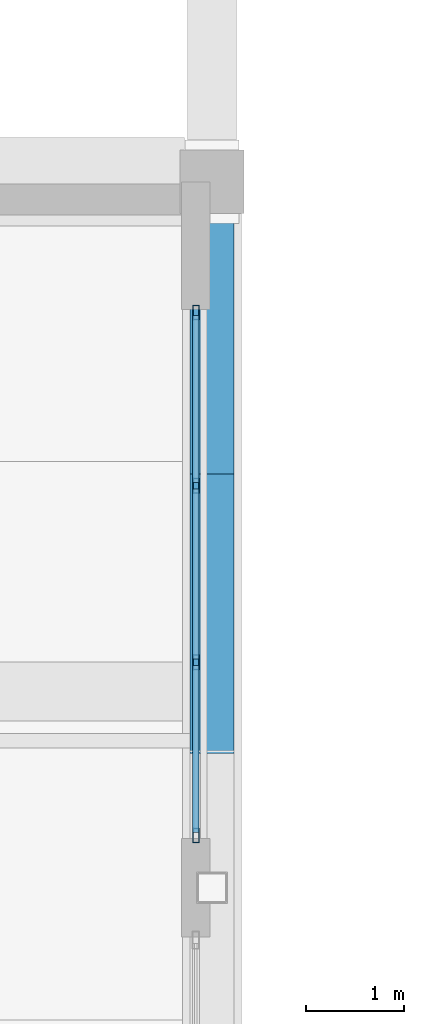
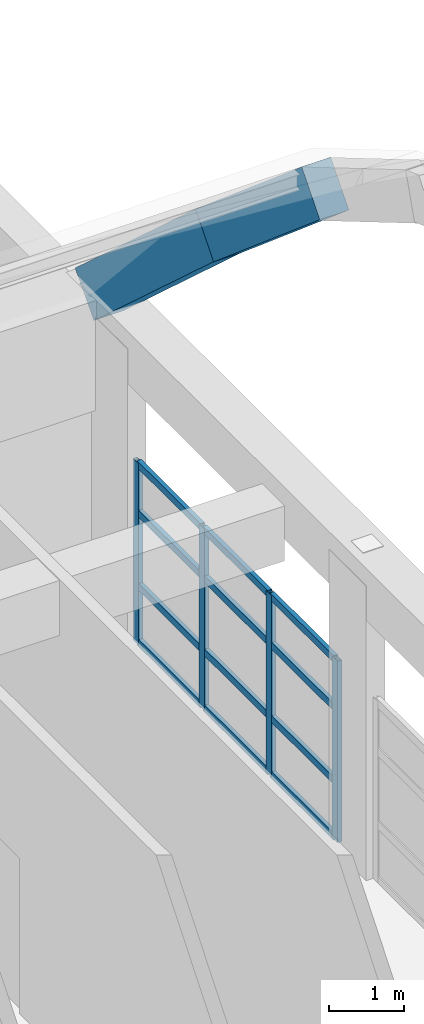
# One storey, part 55 of 103: 16 members, 2 beams, 1 element without a shape of its own.
"""IFC4 building model written with IfcOpenShell, lengths in metres."""

from ifc_helpers import new_model, si_unit, direction, frame, origin, origin_2d, place, context, subcontext, project, spatial, rectangle, hollow_rectangle, extrude, material, layer, layer_set, material_profile, profile_set, type_object, element, aggregate, save


model = new_model("IFC4")

# Units and contexts
model_context = context("Model", 3, precision=1e-05, world=origin(), true_north=direction((0.0, 1.0)))
body_context = subcontext(model_context, "Body", "Model", "MODEL_VIEW")
ifc_project = project(units=[si_unit("LENGTHUNIT", "METRE"), si_unit("AREAUNIT", "SQUARE_METRE"), si_unit("VOLUMEUNIT", "CUBIC_METRE"), si_unit("PLANEANGLEUNIT", "RADIAN"), si_unit("MASSUNIT", "GRAM", prefix="KILO")], contexts=[model_context])

# Site, building, storey
site_placement = place(None, origin())
site = spatial("IfcSite", under=ifc_project, at=site_placement, CompositionType="ELEMENT")
building_placement = place(site_placement, origin())
building = spatial("IfcBuilding", under=site, at=building_placement, Name="Quendrovan Civic Courthouse", CompositionType="ELEMENT")
storey_placement = place(building_placement, frame((0.0, 0.0, 15.300048828125)))
storey = spatial("IfcBuildingStorey", under=building, at=storey_placement, Name="L04", CompositionType="ELEMENT", Elevation=15.300048828125)

# Beams
ifc_material_1 = material(Name="Concrete C40/50", Category="concrete")
ifc_material_profile_1 = material_profile(ifc_material_1, rectangle(XDim=0.449951171875, YDim=0.75, at=origin_2d()), Name="RC-VRIB-450x750")
ifc_profile_set_1 = profile_set([ifc_material_profile_1], Name="Concrete C40/50")
beam_type = type_object("IfcBeamType", Name="BM-VRIB750", PredefinedType="BEAM", material=ifc_profile_set_1)
beam_1_placement = place(storey_placement, frame((92.39990234375, 81.52783203125, 10.237548828125), z_axis=(0.0, 0.762419306116, -0.647083303495), x_axis=(-1.0, 0.0, 0.0)))
element("IfcBeam", 1, at=beam_1_placement, inside=storey, type_object=beam_type, Name="BV2 Concrete Vault Arch Rib A8-C7", PredefinedType="BEAM", context=body_context, shape_type="SweptSolid", body=[
    extrude(rectangle(XDim=0.449951171875, YDim=0.75, at=origin_2d()), origin(), (0.0, 0.0, 1.0), 3.73828125),
])
beam_2_placement = place(storey_placement, frame((92.39990234375, 84.3232421875, 7.87158203125), z_axis=(0.0, 0.740758632606, -0.671771276716), x_axis=(-1.0, 0.0, 0.0)))
element("IfcBeam", 2, at=beam_2_placement, inside=storey, type_object=beam_type, Name="BV2 Concrete Vault Arch Rib A8-C8", PredefinedType="BEAM", context=body_context, shape_type="SweptSolid", body=[
    extrude(rectangle(XDim=0.449951171875, YDim=0.75, at=origin_2d()), origin(), (0.0, 0.0, 1.0), 4.423583984375),
])

# Curtain wall, members
ifc_material_2 = material(Name="Bronze anodised aluminium and low-E glass", Category="aluminium")
ifc_layer = layer(ifc_material_2, 0.179931640625, Name="Bronze anodised aluminium and low-E glass")
ifc_layer_set = layer_set([ifc_layer], Name="Bronze anodised aluminium and low-E glass")
curtain_wall_type = type_object("IfcCurtainWallType", Name="CW-U54x30", PredefinedType="USERDEFINED", material=ifc_layer_set)
curtain_wall_placement = place(storey_placement, origin())
curtain_wall = element("IfcCurtainWall", 3, at=curtain_wall_placement, inside=storey, type_object=curtain_wall_type, Name="L04 Unitised Hurricane Curtain Wall CW-155", ObjectType="UNITISED CURTAIN WALL", PredefinedType="USERDEFINED")
ifc_material_3 = material(Name="Bronze anodised aluminium", Category="aluminium")
ifc_material_profile_2 = material_profile(ifc_material_3, hollow_rectangle(XDim=0.06494140625, YDim=0.14990234375, WallThickness=0.00390625, at=origin_2d()), Name="CW-MULL-65x150")
ifc_profile_set_2 = profile_set([ifc_material_profile_2], Name="Bronze anodised aluminium")
member_type_1 = type_object("IfcMemberType", Name="CW-MULL-B", PredefinedType="MULLION", material=ifc_profile_set_2)
member_1_placement = place(storey_placement, frame((92.235107421875, 86.267578125, 0.0), z_axis=(0.0, 0.0, 1.0), x_axis=(1.0, 0.0, 0.0)))
member_1 = element("IfcMember", 4, at=member_1_placement, type_object=member_type_1, Name="CW-155 mullion 1", PredefinedType="MULLION", context=body_context, shape_type="SweptSolid", body=[
    extrude(hollow_rectangle(XDim=0.06494140625, YDim=0.14990234375, WallThickness=0.00390625, at=origin_2d()), origin(), (0.0, 0.0, 1.0), 2.969970703125),
])
member_2_placement = place(storey_placement, frame((92.235107421875, 84.5, 0.0), z_axis=(0.0, 0.0, 1.0), x_axis=(1.0, 0.0, 0.0)))
member_2 = element("IfcMember", 5, at=member_2_placement, type_object=member_type_1, Name="CW-155 mullion 2", PredefinedType="MULLION", context=body_context, shape_type="SweptSolid", body=[
    extrude(hollow_rectangle(XDim=0.06494140625, YDim=0.14990234375, WallThickness=0.00390625, at=origin_2d()), origin(), (0.0, 0.0, 1.0), 2.969970703125),
])
member_3_placement = place(storey_placement, frame((92.235107421875, 82.699951171875, 0.0), z_axis=(0.0, 0.0, 1.0), x_axis=(1.0, 0.0, 0.0)))
member_3 = element("IfcMember", 6, at=member_3_placement, type_object=member_type_1, Name="CW-155 mullion 3", PredefinedType="MULLION", context=body_context, shape_type="SweptSolid", body=[
    extrude(hollow_rectangle(XDim=0.06494140625, YDim=0.14990234375, WallThickness=0.00390625, at=origin_2d()), origin(), (0.0, 0.0, 1.0), 2.969970703125),
])
member_4_placement = place(storey_placement, frame((92.235107421875, 80.9326171875, 0.0), z_axis=(0.0, 0.0, 1.0), x_axis=(1.0, 0.0, 0.0)))
member_4 = element("IfcMember", 7, at=member_4_placement, type_object=member_type_1, Name="CW-155 mullion 4", PredefinedType="MULLION", context=body_context, shape_type="SweptSolid", body=[
    extrude(hollow_rectangle(XDim=0.06494140625, YDim=0.14990234375, WallThickness=0.00390625, at=origin_2d()), origin(), (0.0, 0.0, 1.0), 2.969970703125),
])
ifc_material_profile_3 = material_profile(ifc_material_3, hollow_rectangle(XDim=0.06494140625, YDim=0.114990234375, WallThickness=0.00390625, at=origin_2d()), Name="CW-TRAN-65x115")
ifc_profile_set_3 = profile_set([ifc_material_profile_3], Name="Bronze anodised aluminium")
member_type_2 = type_object("IfcMemberType", Name="CW-TRAN-B", PredefinedType="USERDEFINED", material=ifc_profile_set_3)
member_5_placement = place(storey_placement, frame((92.235107421875, 86.235107421875, 0.032470703125), z_axis=(0.0, -1.0, 0.0), x_axis=(1.0, 0.0, 0.0)))
member_5 = element("IfcMember", 8, at=member_5_placement, type_object=member_type_2, Name="CW-155 transom 1.1", ObjectType="TRANSOM", PredefinedType="USERDEFINED", context=body_context, shape_type="SweptSolid", body=[
    extrude(hollow_rectangle(XDim=0.06494140625, YDim=0.114990234375, WallThickness=0.00390625, at=origin_2d()), origin(), (0.0, 0.0, 1.0), 1.70263671875),
])
member_6_placement = place(storey_placement, frame((92.235107421875, 86.235107421875, 0.949951171875), z_axis=(0.0, -1.0, 0.0), x_axis=(1.0, 0.0, 0.0)))
member_6 = element("IfcMember", 9, at=member_6_placement, type_object=member_type_2, Name="CW-155 transom 1.2", ObjectType="TRANSOM", PredefinedType="USERDEFINED", context=body_context, shape_type="SweptSolid", body=[
    extrude(hollow_rectangle(XDim=0.06494140625, YDim=0.114990234375, WallThickness=0.00390625, at=origin_2d()), origin(), (0.0, 0.0, 1.0), 1.70263671875),
])
member_7_placement = place(storey_placement, frame((92.235107421875, 86.235107421875, 2.14990234375), z_axis=(0.0, -1.0, 0.0), x_axis=(1.0, 0.0, 0.0)))
member_7 = element("IfcMember", 10, at=member_7_placement, type_object=member_type_2, Name="CW-155 transom 1.3", ObjectType="TRANSOM", PredefinedType="USERDEFINED", context=body_context, shape_type="SweptSolid", body=[
    extrude(hollow_rectangle(XDim=0.06494140625, YDim=0.114990234375, WallThickness=0.00390625, at=origin_2d()), origin(), (0.0, 0.0, 1.0), 1.70263671875),
])
member_8_placement = place(storey_placement, frame((92.235107421875, 86.235107421875, 2.9375), z_axis=(0.0, -1.0, 0.0), x_axis=(1.0, 0.0, 0.0)))
member_8 = element("IfcMember", 11, at=member_8_placement, type_object=member_type_2, Name="CW-155 transom 1.4", ObjectType="TRANSOM", PredefinedType="USERDEFINED", context=body_context, shape_type="SweptSolid", body=[
    extrude(hollow_rectangle(XDim=0.06494140625, YDim=0.114990234375, WallThickness=0.00390625, at=origin_2d()), origin(), (0.0, 0.0, 1.0), 1.70263671875),
])
member_9_placement = place(storey_placement, frame((92.235107421875, 84.467529296875, 0.032470703125), z_axis=(0.0, -1.0, 0.0), x_axis=(1.0, 0.0, 0.0)))
member_9 = element("IfcMember", 12, at=member_9_placement, type_object=member_type_2, Name="CW-155 transom 2.1", ObjectType="TRANSOM", PredefinedType="USERDEFINED", context=body_context, shape_type="SweptSolid", body=[
    extrude(hollow_rectangle(XDim=0.06494140625, YDim=0.114990234375, WallThickness=0.00390625, at=origin_2d()), origin(), (0.0, 0.0, 1.0), 1.735107421875),
])
member_10_placement = place(storey_placement, frame((92.235107421875, 84.467529296875, 0.949951171875), z_axis=(0.0, -1.0, 0.0), x_axis=(1.0, 0.0, 0.0)))
member_10 = element("IfcMember", 13, at=member_10_placement, type_object=member_type_2, Name="CW-155 transom 2.2", ObjectType="TRANSOM", PredefinedType="USERDEFINED", context=body_context, shape_type="SweptSolid", body=[
    extrude(hollow_rectangle(XDim=0.06494140625, YDim=0.114990234375, WallThickness=0.00390625, at=origin_2d()), origin(), (0.0, 0.0, 1.0), 1.735107421875),
])
member_11_placement = place(storey_placement, frame((92.235107421875, 84.467529296875, 2.14990234375), z_axis=(0.0, -1.0, 0.0), x_axis=(1.0, 0.0, 0.0)))
member_11 = element("IfcMember", 14, at=member_11_placement, type_object=member_type_2, Name="CW-155 transom 2.3", ObjectType="TRANSOM", PredefinedType="USERDEFINED", context=body_context, shape_type="SweptSolid", body=[
    extrude(hollow_rectangle(XDim=0.06494140625, YDim=0.114990234375, WallThickness=0.00390625, at=origin_2d()), origin(), (0.0, 0.0, 1.0), 1.735107421875),
])
member_12_placement = place(storey_placement, frame((92.235107421875, 84.467529296875, 2.9375), z_axis=(0.0, -1.0, 0.0), x_axis=(1.0, 0.0, 0.0)))
member_12 = element("IfcMember", 15, at=member_12_placement, type_object=member_type_2, Name="CW-155 transom 2.4", ObjectType="TRANSOM", PredefinedType="USERDEFINED", context=body_context, shape_type="SweptSolid", body=[
    extrude(hollow_rectangle(XDim=0.06494140625, YDim=0.114990234375, WallThickness=0.00390625, at=origin_2d()), origin(), (0.0, 0.0, 1.0), 1.735107421875),
])
member_13_placement = place(storey_placement, frame((92.235107421875, 82.66748046875, 0.032470703125), z_axis=(0.0, -1.0, 0.0), x_axis=(1.0, 0.0, 0.0)))
member_13 = element("IfcMember", 16, at=member_13_placement, type_object=member_type_2, Name="CW-155 transom 3.1", ObjectType="TRANSOM", PredefinedType="USERDEFINED", context=body_context, shape_type="SweptSolid", body=[
    extrude(hollow_rectangle(XDim=0.06494140625, YDim=0.114990234375, WallThickness=0.00390625, at=origin_2d()), origin(), (0.0, 0.0, 1.0), 1.702392578125),
])
member_14_placement = place(storey_placement, frame((92.235107421875, 82.66748046875, 0.949951171875), z_axis=(0.0, -1.0, 0.0), x_axis=(1.0, 0.0, 0.0)))
member_14 = element("IfcMember", 17, at=member_14_placement, type_object=member_type_2, Name="CW-155 transom 3.2", ObjectType="TRANSOM", PredefinedType="USERDEFINED", context=body_context, shape_type="SweptSolid", body=[
    extrude(hollow_rectangle(XDim=0.06494140625, YDim=0.114990234375, WallThickness=0.00390625, at=origin_2d()), origin(), (0.0, 0.0, 1.0), 1.702392578125),
])
member_15_placement = place(storey_placement, frame((92.235107421875, 82.66748046875, 2.14990234375), z_axis=(0.0, -1.0, 0.0), x_axis=(1.0, 0.0, 0.0)))
member_15 = element("IfcMember", 18, at=member_15_placement, type_object=member_type_2, Name="CW-155 transom 3.3", ObjectType="TRANSOM", PredefinedType="USERDEFINED", context=body_context, shape_type="SweptSolid", body=[
    extrude(hollow_rectangle(XDim=0.06494140625, YDim=0.114990234375, WallThickness=0.00390625, at=origin_2d()), origin(), (0.0, 0.0, 1.0), 1.702392578125),
])
member_16_placement = place(storey_placement, frame((92.235107421875, 82.66748046875, 2.9375), z_axis=(0.0, -1.0, 0.0), x_axis=(1.0, 0.0, 0.0)))
member_16 = element("IfcMember", 19, at=member_16_placement, type_object=member_type_2, Name="CW-155 transom 3.4", ObjectType="TRANSOM", PredefinedType="USERDEFINED", context=body_context, shape_type="SweptSolid", body=[
    extrude(hollow_rectangle(XDim=0.06494140625, YDim=0.114990234375, WallThickness=0.00390625, at=origin_2d()), origin(), (0.0, 0.0, 1.0), 1.702392578125),
])
aggregate(curtain_wall, [member_1, member_2, member_3, member_4, member_5, member_6, member_7, member_8, member_9, member_10, member_11, member_12, member_13, member_14, member_15, member_16])

save(model, "model.ifc")
